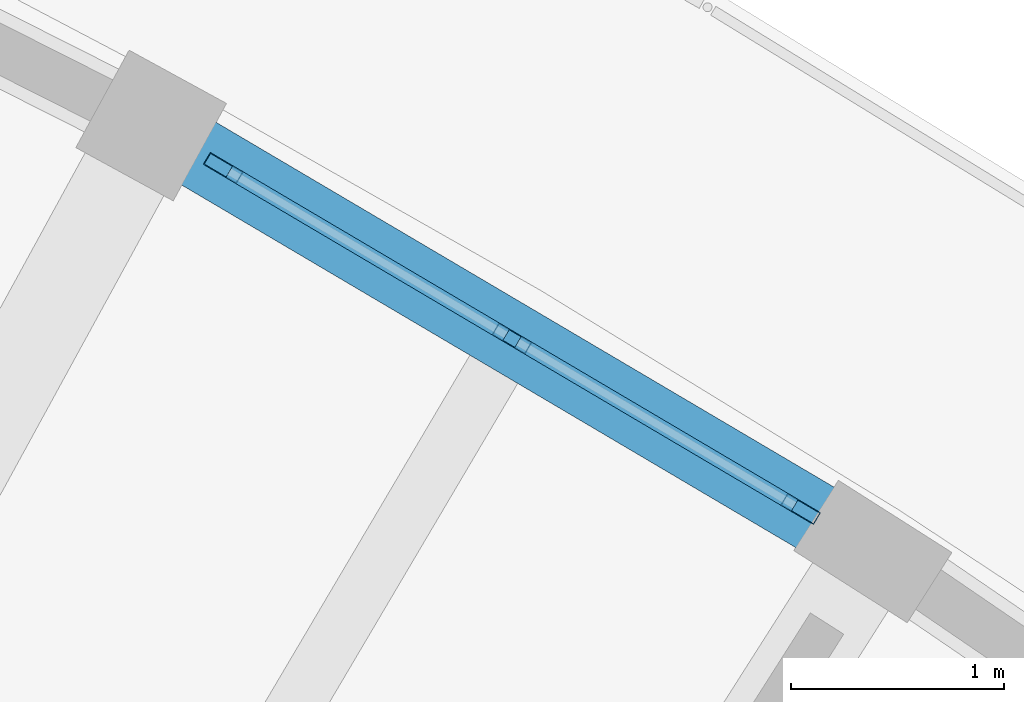
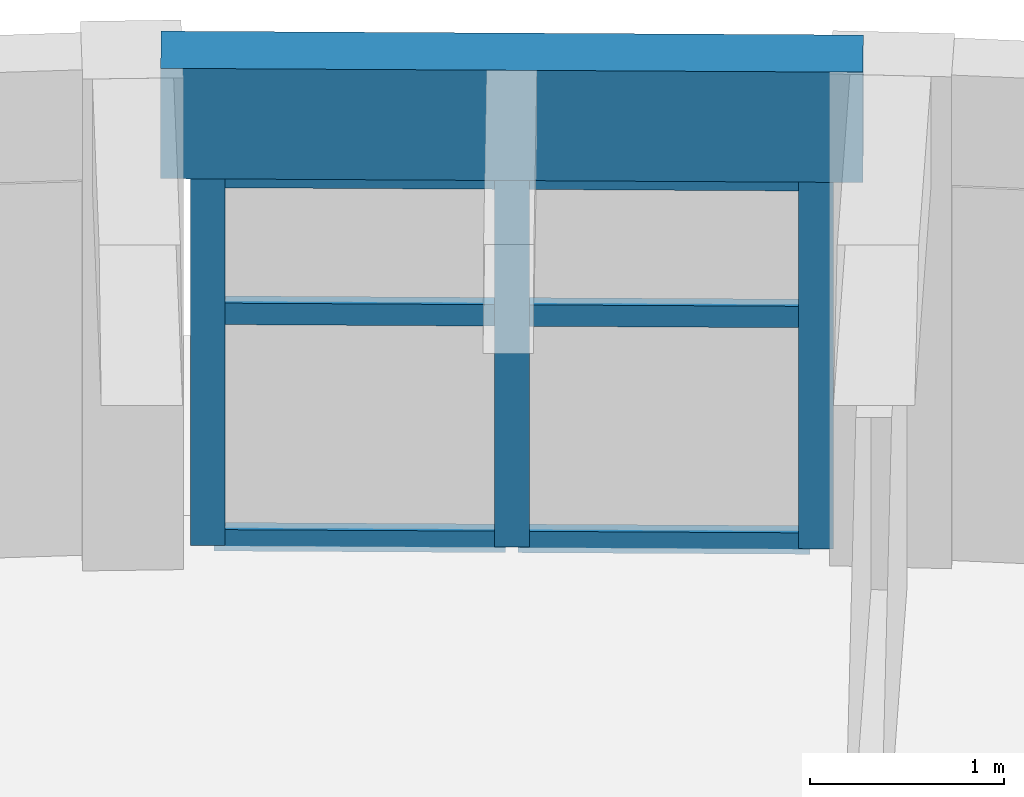
# One storey, part 13 of 32: 9 members, 1 beam, 1 element without a shape of its own.
"""IFC4 building model written with IfcOpenShell, lengths in metres."""

from ifc_helpers import new_model, si_unit, direction, frame, origin, origin_2d, place, context, subcontext, project, spatial, rectangle, hollow_rectangle, extrude, material, material_profile, profile_set, type_object, element, aggregate, save


model = new_model("IFC4")

# Units and contexts
model_context = context("Model", 3, precision=1e-05, world=origin(), true_north=direction((0.0, 1.0)))
body_context = subcontext(model_context, "Body", "Model", "MODEL_VIEW")
ifc_project = project(units=[si_unit("LENGTHUNIT", "METRE"), si_unit("AREAUNIT", "SQUARE_METRE"), si_unit("VOLUMEUNIT", "CUBIC_METRE"), si_unit("PLANEANGLEUNIT", "RADIAN"), si_unit("MASSUNIT", "GRAM", prefix="KILO")], contexts=[model_context])

# Site, building, storey
site_placement = place(None, origin())
site = spatial("IfcSite", under=ifc_project, at=site_placement, CompositionType="ELEMENT")
building_placement = place(site_placement, origin())
building = spatial("IfcBuilding", under=site, at=building_placement, Name="Tanwirah Colonnade Gardens", CompositionType="ELEMENT")
storey_placement = place(building_placement, frame((0.0, 0.0, 42.43994140625)))
storey = spatial("IfcBuildingStorey", under=building, at=storey_placement, Name="L12", CompositionType="ELEMENT", Elevation=42.43994140625)

# Curtain wall, members
ifc_material_1 = material(Name="Bronze-anodised aluminium and solar-control low-E glass", Category="aluminium")
curtain_wall_type = type_object("IfcCurtainWallType", Name="CW-LOB", PredefinedType="NOTDEFINED", material=ifc_material_1)
curtain_wall_placement = place(storey_placement, origin())
curtain_wall = element("IfcCurtainWall", 1, at=curtain_wall_placement, inside=storey, type_object=curtain_wall_type, Name="Curtain Wall CW-B-L12-OUT-11", PredefinedType="NOTDEFINED")
ifc_material_2 = material(Name="Bronze-anodised aluminium", Category="aluminium")
ifc_material_profile_1 = material_profile(ifc_material_2, hollow_rectangle(XDim=0.06494140625, YDim=0.179931640625, WallThickness=0.00390625, at=origin_2d()), Name="CW-MUL 65x180x4")
ifc_profile_set_1 = profile_set([ifc_material_profile_1], Name="Bronze-anodised aluminium")
member_type_1 = type_object("IfcMemberType", Name="CWM-65x180", PredefinedType="MULLION", material=ifc_profile_set_1)
member_1_placement = place(storey_placement, frame((152.609375, 110.654541015625, 0.0), z_axis=(0.0, 0.0, 1.0), x_axis=(-0.50837225715, -0.861137415376, 0.0)))
member_1 = element("IfcMember", 2, at=member_1_placement, type_object=member_type_1, Name="CW-LOB mullion 1", PredefinedType="MULLION", context=body_context, shape_type="SweptSolid", body=[
    extrude(hollow_rectangle(XDim=0.06494140625, YDim=0.179931640625, WallThickness=0.00390625, at=origin_2d()), origin(), (0.0, 0.0, 1.0), 2.35498046875),
])
member_2_placement = place(storey_placement, frame((151.257080078125, 111.452880859375, 0.0), z_axis=(0.0, 0.0, 1.0), x_axis=(-0.50837225715, -0.861137415376, 0.0)))
member_2 = element("IfcMember", 3, at=member_2_placement, type_object=member_type_1, Name="CW-LOB mullion 2", PredefinedType="MULLION", context=body_context, shape_type="SweptSolid", body=[
    extrude(hollow_rectangle(XDim=0.06494140625, YDim=0.179931640625, WallThickness=0.00390625, at=origin_2d()), origin(), (0.0, 0.0, 1.0), 2.35498046875),
])
member_3_placement = place(storey_placement, frame((149.90478515625, 112.251220703125, 0.0), z_axis=(0.0, 0.0, 1.0), x_axis=(-0.50837225715, -0.861137415376, 0.0)))
member_3 = element("IfcMember", 4, at=member_3_placement, type_object=member_type_1, Name="CW-LOB mullion 3", PredefinedType="MULLION", context=body_context, shape_type="SweptSolid", body=[
    extrude(hollow_rectangle(XDim=0.06494140625, YDim=0.179931640625, WallThickness=0.00390625, at=origin_2d()), origin(), (0.0, 0.0, 1.0), 2.35498046875),
])
ifc_material_profile_2 = material_profile(ifc_material_2, hollow_rectangle(XDim=0.06494140625, YDim=0.135009765625, WallThickness=0.00390625, at=origin_2d()), Name="CW-TRN 65x135x4")
ifc_profile_set_2 = profile_set([ifc_material_profile_2], Name="Bronze-anodised aluminium")
member_type_2 = type_object("IfcMemberType", Name="CWT-65x135", PredefinedType="USERDEFINED", material=ifc_profile_set_2)
member_4_placement = place(storey_placement, frame((152.58154296875, 110.671142578125, 0.032470703125), z_axis=(-0.861191169611, 0.508281191255, 0.0), x_axis=(-0.508281191255, -0.861191169611, 0.0)))
member_4 = element("IfcMember", 5, at=member_4_placement, type_object=member_type_2, Name="CW-LOB transom 1.1", ObjectType="TRANSOM", PredefinedType="USERDEFINED", context=body_context, shape_type="SweptSolid", body=[
    extrude(hollow_rectangle(XDim=0.06494140625, YDim=0.135009765625, WallThickness=0.00390625, at=origin_2d()), origin(), (0.0, 0.0, 1.0), 1.50537109375),
])
member_5_placement = place(storey_placement, frame((152.58154296875, 110.671142578125, 1.460205078125), z_axis=(-0.861191169611, 0.508281191255, 0.0), x_axis=(-0.508281191255, -0.861191169611, 0.0)))
member_5 = element("IfcMember", 6, at=member_5_placement, type_object=member_type_2, Name="CW-LOB transom 1.2", ObjectType="TRANSOM", PredefinedType="USERDEFINED", context=body_context, shape_type="SweptSolid", body=[
    extrude(hollow_rectangle(XDim=0.06494140625, YDim=0.135009765625, WallThickness=0.00390625, at=origin_2d()), origin(), (0.0, 0.0, 1.0), 1.50537109375),
])
member_6_placement = place(storey_placement, frame((152.58154296875, 110.671142578125, 2.322509765625), z_axis=(-0.861191169611, 0.508281191255, 0.0), x_axis=(-0.508281191255, -0.861191169611, 0.0)))
member_6 = element("IfcMember", 7, at=member_6_placement, type_object=member_type_2, Name="CW-LOB transom 1.3", ObjectType="TRANSOM", PredefinedType="USERDEFINED", context=body_context, shape_type="SweptSolid", body=[
    extrude(hollow_rectangle(XDim=0.06494140625, YDim=0.135009765625, WallThickness=0.00390625, at=origin_2d()), origin(), (0.0, 0.0, 1.0), 1.50537109375),
])
member_7_placement = place(storey_placement, frame((151.229248046875, 111.46923828125, 0.032470703125), z_axis=(-0.861120175189, 0.508401459363, 0.0), x_axis=(-0.508401459363, -0.861120175189, 0.0)))
member_7 = element("IfcMember", 8, at=member_7_placement, type_object=member_type_2, Name="CW-LOB transom 2.1", ObjectType="TRANSOM", PredefinedType="USERDEFINED", context=body_context, shape_type="SweptSolid", body=[
    extrude(hollow_rectangle(XDim=0.06494140625, YDim=0.135009765625, WallThickness=0.00390625, at=origin_2d()), origin(), (0.0, 0.0, 1.0), 1.50537109375),
])
member_8_placement = place(storey_placement, frame((151.229248046875, 111.46923828125, 1.460205078125), z_axis=(-0.861120175189, 0.508401459363, 0.0), x_axis=(-0.508401459363, -0.861120175189, 0.0)))
member_8 = element("IfcMember", 9, at=member_8_placement, type_object=member_type_2, Name="CW-LOB transom 2.2", ObjectType="TRANSOM", PredefinedType="USERDEFINED", context=body_context, shape_type="SweptSolid", body=[
    extrude(hollow_rectangle(XDim=0.06494140625, YDim=0.135009765625, WallThickness=0.00390625, at=origin_2d()), origin(), (0.0, 0.0, 1.0), 1.50537109375),
])
member_9_placement = place(storey_placement, frame((151.229248046875, 111.46923828125, 2.322509765625), z_axis=(-0.861120175189, 0.508401459363, 0.0), x_axis=(-0.508401459363, -0.861120175189, 0.0)))
member_9 = element("IfcMember", 10, at=member_9_placement, type_object=member_type_2, Name="CW-LOB transom 2.3", ObjectType="TRANSOM", PredefinedType="USERDEFINED", context=body_context, shape_type="SweptSolid", body=[
    extrude(hollow_rectangle(XDim=0.06494140625, YDim=0.135009765625, WallThickness=0.00390625, at=origin_2d()), origin(), (0.0, 0.0, 1.0), 1.50537109375),
])
aggregate(curtain_wall, [member_1, member_2, member_3, member_4, member_5, member_6, member_7, member_8, member_9])

# Beam
ifc_material_3 = material(Name="Precast concrete C40/50", Category="concrete")
ifc_material_profile_3 = material_profile(ifc_material_3, rectangle(XDim=0.3349609375, YDim=0.695068359375, at=origin_2d()), Name="PC-SP 335x695")
ifc_profile_set_3 = profile_set([ifc_material_profile_3], Name="Precast concrete C40/50")
beam_type = type_object("IfcBeamType", Name="SP-PC300", PredefinedType="SPANDREL", material=ifc_profile_set_3)
beam_placement = place(storey_placement, frame((152.818359375, 110.53125, 2.75244140625), z_axis=(-0.861136912545, 0.5083731089, 0.0), x_axis=(-0.5083731089, -0.861136912545, 0.0)))
element("IfcBeam", 11, at=beam_placement, inside=storey, type_object=beam_type, Name="Block B L12 Circumferential Beam 11-R3", PredefinedType="SPANDREL", context=body_context, shape_type="SweptSolid", body=[
    extrude(rectangle(XDim=0.3349609375, YDim=0.695068359375, at=origin_2d()), origin(), (0.0, 0.0, 1.0), 3.625732421875),
])

save(model, "model.ifc")
